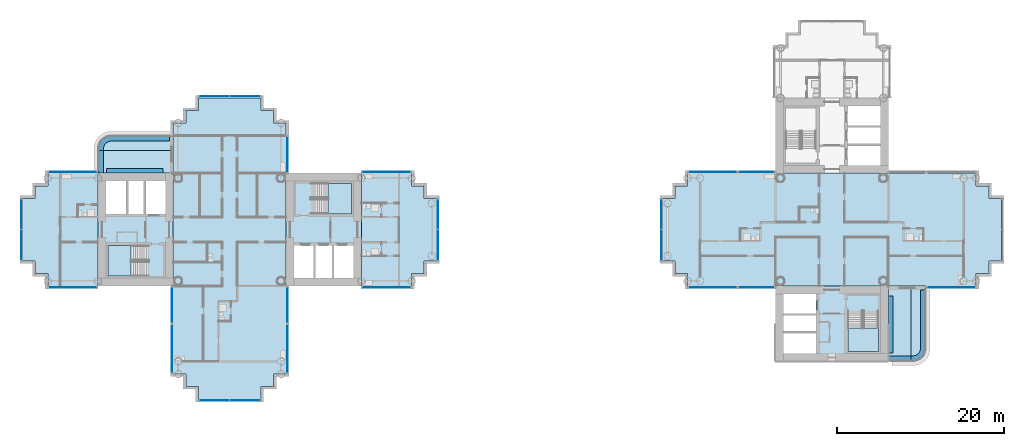
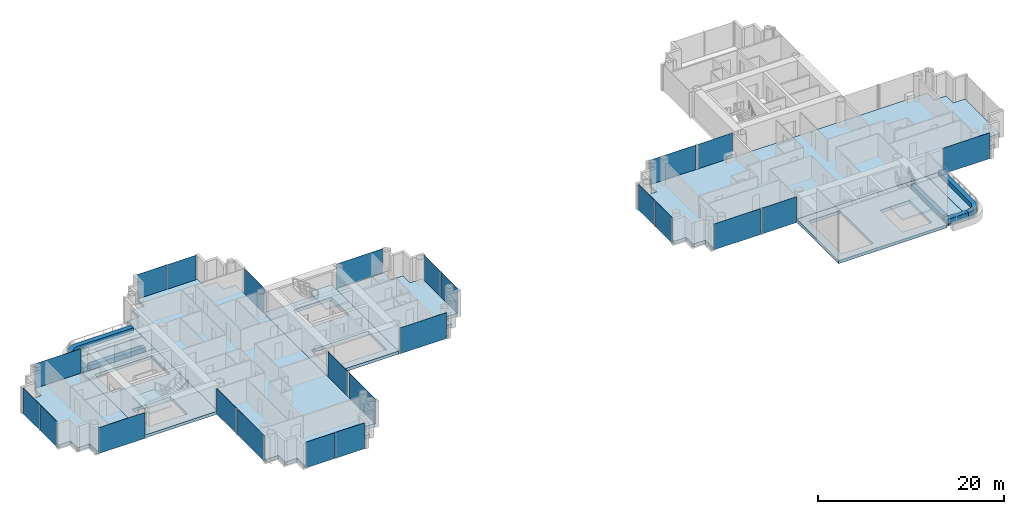
# One storey, part 7 of 21: 24 plates, 20 slabs, 22 elements without a shape of their own.
"""IFC4 building model written with IfcOpenShell, lengths in metres."""

from ifc_helpers import new_model, si_unit, direction, frame, origin, origin_2d, place, context, subcontext, project, spatial, polyline, rectangle, outline, extrude, material, layer, layer_set, type_object, element, aggregate, save


model = new_model("IFC4")

# Units and contexts
model_context = context("Model", 3, precision=1e-05, world=origin(), true_north=direction((0.0, 1.0)))
body_context = subcontext(model_context, "Body", "Model", "MODEL_VIEW")
ifc_project = project(units=[si_unit("LENGTHUNIT", "METRE"), si_unit("AREAUNIT", "SQUARE_METRE"), si_unit("VOLUMEUNIT", "CUBIC_METRE"), si_unit("PLANEANGLEUNIT", "RADIAN"), si_unit("MASSUNIT", "GRAM", prefix="KILO")], contexts=[model_context])

# Site, building, storey
site_placement = place(None, origin())
site = spatial("IfcSite", under=ifc_project, at=site_placement, CompositionType="ELEMENT")
building_placement = place(site_placement, origin())
building = spatial("IfcBuilding", under=site, at=building_placement, Name="Ipe Terrace Towers", CompositionType="ELEMENT")
storey_placement = place(building_placement, frame((0.0, 0.0, 117.39990234375)))
storey = spatial("IfcBuildingStorey", under=building, at=storey_placement, Name="L32", CompositionType="ELEMENT", Elevation=117.39990234375)

# Slabs
ifc_material_1 = material(Name="Concrete C30/37", Category="concrete")
ifc_layer_1 = layer(ifc_material_1, 0.199951171875)
ifc_layer_set_1 = layer_set([ifc_layer_1], Name="BALCONY SLAB 200")
slab_type_1 = type_object("IfcSlabType", Name="BALCONY SLAB 200", PredefinedType="FLOOR", material=ifc_layer_set_1)
slab_1_placement = place(storey_placement, frame((0.0, 0.0, -0.219970703125)))
element("IfcSlab", 1, at=slab_1_placement, inside=storey, type_object=slab_type_1, Name="balcony slab", PredefinedType="FLOOR", context=body_context, shape_type="SweptSolid", body=[
    extrude(outline(polyline([(-51.75, 6.75), (-42.75, 6.75), (-42.75, 9.449951171875), (-51.75, 9.449951171875), (-51.75, 6.75)])), origin(), (0.0, 0.0, 1.0), 0.199951171875),
])
slab_2_placement = place(storey_placement, frame((0.0, 0.0, -0.219970703125)))
element("IfcSlab", 2, at=slab_2_placement, inside=storey, type_object=slab_type_1, Name="balcony slab", PredefinedType="FLOOR", context=body_context, shape_type="SweptSolid", body=[
    extrude(outline(polyline([(-42.75, 11.25), (-50.14990234375, 11.25), (-50.35888671875, 11.236083984375), (-50.56396484375, 11.195068359375), (-50.761962890625, 11.1279296875), (-50.949951171875, 11.035888671875), (-51.1240234375, 10.9189453125), (-51.281005859375, 10.781005859375), (-51.4189453125, 10.6240234375), (-51.535888671875, 10.449951171875), (-51.6279296875, 10.261962890625), (-51.695068359375, 10.06396484375), (-51.736083984375, 9.85888671875), (-51.75, 9.64990234375), (-51.75, 9.449951171875), (-42.75, 9.449951171875), (-42.75, 11.25)])), origin(), (0.0, 0.0, 1.0), 0.199951171875),
])
slab_3_placement = place(storey_placement, frame((0.0, 0.0, -0.219970703125)))
element("IfcSlab", 3, at=slab_3_placement, inside=storey, type_object=slab_type_1, Name="balcony slab", PredefinedType="FLOOR", context=body_context, shape_type="SweptSolid", body=[
    extrude(outline(polyline([(42.75, -15.75), (45.449951171875, -15.75), (45.449951171875, -6.75), (42.75, -6.75), (42.75, -15.75)])), origin(), (0.0, 0.0, 1.0), 0.199951171875),
])
slab_4_placement = place(storey_placement, frame((0.0, 0.0, -0.219970703125)))
element("IfcSlab", 4, at=slab_4_placement, inside=storey, type_object=slab_type_1, Name="balcony slab", PredefinedType="FLOOR", context=body_context, shape_type="SweptSolid", body=[
    extrude(outline(polyline([(47.25, -6.75), (45.449951171875, -6.75), (45.449951171875, -15.75), (45.64990234375, -15.75), (45.85888671875, -15.736083984375), (46.06396484375, -15.695068359375), (46.261962890625, -15.6279296875), (46.449951171875, -15.535888671875), (46.6240234375, -15.4189453125), (46.781005859375, -15.281005859375), (46.9189453125, -15.1240234375), (47.035888671875, -14.949951171875), (47.1279296875, -14.761962890625), (47.195068359375, -14.56396484375), (47.236083984375, -14.35888671875), (47.25, -14.14990234375), (47.25, -6.75)])), origin(), (0.0, 0.0, 1.0), 0.199951171875),
])
ifc_material_2 = material(Name="Concrete C30/37", Category="concrete")
ifc_layer_2 = layer(ifc_material_2, 0.39990234375)
ifc_layer_set_2 = layer_set([ifc_layer_2], Name="CORE FLOOR SLAB 400 C30-37")
slab_type_2 = type_object("IfcSlabType", Name="CORE FLOOR SLAB 400 C30-37", PredefinedType="FLOOR", material=ifc_layer_set_2)
slab_5_placement = place(storey_placement, frame((0.0, 0.0, -0.39990234375)))
element("IfcSlab", 5, at=slab_5_placement, inside=storey, type_object=slab_type_2, Name="Core floor T1-C1", PredefinedType="FLOOR", context=body_context, shape_type="SweptSolid", body=[
    extrude(outline(polyline([(-29.25, -6.75), (-29.25, 6.75), (-20.25, 6.75), (-20.25, -6.75), (-29.25, -6.75)]), holes=[polyline([(-28.300048828125, -5.800048828125), (-21.199951171875, -5.800048828125), (-21.199951171875, -1.89990234375), (-28.300048828125, -1.89990234375), (-28.300048828125, -5.800048828125)]), polyline([(-26.199951171875, 5.550048828125), (-26.199951171875, 1.89990234375), (-21.449951171875, 1.89990234375), (-21.449951171875, 5.550048828125), (-26.199951171875, 5.550048828125)])]), origin(), (0.0, 0.0, 1.0), 0.39990234375),
])
slab_6_placement = place(storey_placement, frame((0.0, 0.0, -0.39990234375)))
element("IfcSlab", 6, at=slab_6_placement, inside=storey, type_object=slab_type_2, Name="Core floor T1-C2", PredefinedType="FLOOR", context=body_context, shape_type="SweptSolid", body=[
    extrude(outline(polyline([(-51.75, -6.75), (-51.75, 6.75), (-42.75, 6.75), (-42.75, -6.75), (-51.75, -6.75)]), holes=[polyline([(-45.800048828125, -5.550048828125), (-45.800048828125, -1.89990234375), (-50.550048828125, -1.89990234375), (-50.550048828125, -5.550048828125), (-45.800048828125, -5.550048828125)]), polyline([(-50.800048828125, 1.89990234375), (-43.699951171875, 1.89990234375), (-43.699951171875, 5.800048828125), (-50.800048828125, 5.800048828125), (-50.800048828125, 1.89990234375)])]), origin(), (0.0, 0.0, 1.0), 0.39990234375),
])
slab_7_placement = place(storey_placement, frame((0.0, 0.0, -0.39990234375)))
element("IfcSlab", 7, at=slab_7_placement, inside=storey, type_object=slab_type_2, Name="Core floor T2-C2", PredefinedType="FLOOR", context=body_context, shape_type="SweptSolid", body=[
    extrude(outline(polyline([(29.25, -15.75), (29.25, -6.75), (42.75, -6.75), (42.75, -15.75), (29.25, -15.75)]), holes=[polyline([(34.10009765625, -14.800048828125), (34.10009765625, -7.699951171875), (30.199951171875, -7.699951171875), (30.199951171875, -14.800048828125), (34.10009765625, -14.800048828125)]), polyline([(41.550048828125, -9.800048828125), (37.89990234375, -9.800048828125), (37.89990234375, -14.550048828125), (41.550048828125, -14.550048828125), (41.550048828125, -9.800048828125)])]), origin(), (0.0, 0.0, 1.0), 0.39990234375),
])

# Stair, slab
ifc_material_3 = material(Name="Concrete C30/37", Category="concrete")
stair_type = type_object("IfcStairType", Name="Protected exit stair", PredefinedType="HALF_TURN_STAIR", material=ifc_material_3)
stair_1_placement = place(storey_placement, origin())
stair_1 = element("IfcStair", 8, at=stair_1_placement, inside=storey, type_object=stair_type, Name="L32 Exit stair T1-C1", PredefinedType="HALF_TURN_STAIR")
ifc_material_4 = material(Name="Concrete C30/37", Category="concrete")
ifc_layer_3 = layer(ifc_material_4, 0.199951171875)
ifc_layer_set_3 = layer_set([ifc_layer_3], Name="Exit stair landing 200")
slab_type_3 = type_object("IfcSlabType", Name="Exit stair landing 200", PredefinedType="LANDING", material=ifc_layer_set_3)
slab_8_placement = place(storey_placement, frame((0.0, 0.0, 1.5)))
slab_8 = element("IfcSlab", 9, at=slab_8_placement, type_object=slab_type_3, Name="T1-ST1 landing 1", PredefinedType="LANDING", context=body_context, shape_type="SweptSolid", body=[
    extrude(outline(polyline([(-24.219970703125, 1.89990234375), (-21.449951171875, 1.89990234375), (-21.449951171875, 5.550048828125), (-24.219970703125, 5.550048828125), (-24.219970703125, 1.89990234375)])), origin(), (0.0, 0.0, 1.0), 0.2001953125),
])
aggregate(stair_1, [slab_8])

stair_2_placement = place(storey_placement, origin())
stair_2 = element("IfcStair", 10, at=stair_2_placement, inside=storey, type_object=stair_type, Name="L32 Exit stair T1-C2", PredefinedType="HALF_TURN_STAIR")
slab_9_placement = place(storey_placement, frame((0.0, 0.0, 1.5)))
slab_9 = element("IfcSlab", 11, at=slab_9_placement, type_object=slab_type_3, Name="T1-ST2 landing 1", PredefinedType="LANDING", context=body_context, shape_type="SweptSolid", body=[
    extrude(outline(polyline([(-47.780029296875, -1.89990234375), (-50.550048828125, -1.89990234375), (-50.550048828125, -5.550048828125), (-47.780029296875, -5.550048828125), (-47.780029296875, -1.89990234375)])), origin(), (0.0, 0.0, 1.0), 0.2001953125),
])
aggregate(stair_2, [slab_9])

stair_3_placement = place(storey_placement, origin())
stair_3 = element("IfcStair", 12, at=stair_3_placement, inside=storey, type_object=stair_type, Name="L32 Exit stair T2-C2", PredefinedType="HALF_TURN_STAIR")
slab_10_placement = place(storey_placement, frame((0.0, 0.0, 1.5)))
slab_10 = element("IfcSlab", 13, at=slab_10_placement, type_object=slab_type_3, Name="T2-ST2 landing 1", PredefinedType="LANDING", context=body_context, shape_type="SweptSolid", body=[
    extrude(outline(polyline([(37.89990234375, -11.780029296875), (37.89990234375, -14.550048828125), (41.550048828125, -14.550048828125), (41.550048828125, -11.780029296875), (37.89990234375, -11.780029296875)])), origin(), (0.0, 0.0, 1.0), 0.2001953125),
])
aggregate(stair_3, [slab_10])

# Slabs
ifc_material_5 = material(Name="Concrete C40/50", Category="concrete")
ifc_layer_4 = layer(ifc_material_5, 0.39990234375)
ifc_layer_set_4 = layer_set([ifc_layer_4], Name="FLAT PLATE SLAB 400 C40-50")
slab_type_4 = type_object("IfcSlabType", Name="FLAT PLATE SLAB 400 C40-50", PredefinedType="FLOOR", material=ifc_layer_set_4)
slab_11_placement = place(storey_placement, frame((0.0, 0.0, -0.39990234375)))
element("IfcSlab", 14, at=slab_11_placement, inside=storey, type_object=slab_type_4, Name="Slab T1-FS-Z21", PredefinedType="FLOOR", context=body_context, shape_type="SweptSolid", body=[
    extrude(outline(polyline([(-30.75, -17.25), (-30.75, -18.75), (-32.25, -18.75), (-32.25, -20.25), (-39.75, -20.25), (-39.75, -18.75), (-41.25, -18.75), (-41.25, -17.25), (-42.75, -17.25), (-42.75, -6.75), (-42.75, 6.75), (-42.75, 12.75), (-41.25, 12.75), (-41.25, 14.25), (-39.75, 14.25), (-39.75, 15.75), (-32.25, 15.75), (-32.25, 14.25), (-30.75, 14.25), (-30.75, 12.75), (-29.25, 12.75), (-29.25, 6.75), (-29.25, -6.75), (-29.25, -17.25), (-30.75, -17.25)])), origin(), (0.0, 0.0, 1.0), 0.39990234375),
])
slab_12_placement = place(storey_placement, frame((0.0, 0.0, -0.39990234375)))
element("IfcSlab", 15, at=slab_12_placement, inside=storey, type_object=slab_type_4, Name="Slab T1-FS-Z22", PredefinedType="FLOOR", context=body_context, shape_type="SweptSolid", body=[
    extrude(outline(polyline([(-57.75, -6.75), (-57.75, -5.25), (-59.25, -5.25), (-59.25, -3.75), (-60.75, -3.75), (-60.75, 3.75), (-59.25, 3.75), (-59.25, 5.25), (-57.75, 5.25), (-57.75, 6.75), (-51.75, 6.75), (-51.75, -6.75), (-57.75, -6.75)])), origin(), (0.0, 0.0, 1.0), 0.39990234375),
])
slab_13_placement = place(storey_placement, frame((0.0, 0.0, -0.39990234375)))
element("IfcSlab", 16, at=slab_13_placement, inside=storey, type_object=slab_type_4, Name="Slab T1-FS-Z23", PredefinedType="FLOOR", context=body_context, shape_type="SweptSolid", body=[
    extrude(outline(polyline([(-14.25, 5.25), (-12.75, 5.25), (-12.75, 3.75), (-11.25, 3.75), (-11.25, -3.75), (-12.75, -3.75), (-12.75, -5.25), (-14.25, -5.25), (-14.25, -6.75), (-20.25, -6.75), (-20.25, 6.75), (-14.25, 6.75), (-14.25, 5.25)])), origin(), (0.0, 0.0, 1.0), 0.39990234375),
])
slab_14_placement = place(storey_placement, frame((0.0, 0.0, -0.39990234375)))
element("IfcSlab", 17, at=slab_14_placement, inside=storey, type_object=slab_type_4, Name="Slab T2-FS-Z21", PredefinedType="FLOOR", context=body_context, shape_type="SweptSolid", body=[
    extrude(outline(polyline([(53.25, 5.25), (54.75, 5.25), (54.75, 3.75), (56.25, 3.75), (56.25, -3.75), (54.75, -3.75), (54.75, -5.25), (53.25, -5.25), (53.25, -6.75), (42.75, -6.75), (29.25, -6.75), (18.75, -6.75), (18.75, -5.25), (17.25, -5.25), (17.25, -3.75), (15.75, -3.75), (15.75, 3.75), (17.25, 3.75), (17.25, 5.25), (18.75, 5.25), (18.75, 6.75), (29.25, 6.75), (42.75, 6.75), (53.25, 6.75), (53.25, 5.25)])), origin(), (0.0, 0.0, 1.0), 0.39990234375),
])
ifc_material_6 = material(Name="Concrete C30/37", Category="concrete")
ifc_layer_5 = layer(ifc_material_6, 0.60009765625)
ifc_layer_set_5 = layer_set([ifc_layer_5], Name="PLANTER TROUGH 550 x 600")
slab_type_5 = type_object("IfcSlabType", Name="PLANTER TROUGH 550 x 600", PredefinedType="USERDEFINED", material=ifc_layer_set_5)
slab_15_placement = place(storey_placement, frame((0.0, 0.0, -0.02001953125)))
element("IfcSlab", 18, at=slab_15_placement, inside=storey, type_object=slab_type_5, Name="planter", ObjectType="PLANTER", PredefinedType="USERDEFINED", context=body_context, shape_type="SweptSolid", body=[
    extrude(outline(polyline([(-51.639892578125, 6.75), (-51.090087890625, 6.75), (-51.090087890625, 9.449951171875), (-51.639892578125, 9.449951171875), (-51.639892578125, 6.75)])), origin(), (0.0, 0.0, 1.0), 0.60009765625),
])
slab_16_placement = place(storey_placement, frame((0.0, 0.0, -0.02001953125)))
element("IfcSlab", 19, at=slab_16_placement, inside=storey, type_object=slab_type_5, Name="planter", ObjectType="PLANTER", PredefinedType="USERDEFINED", context=body_context, shape_type="SweptSolid", body=[
    extrude(outline(polyline([(-51.056884765625, 9.89306640625), (-51.01708984375, 10.009033203125), (-50.962890625, 10.118896484375), (-50.89501953125, 10.220947265625), (-50.81396484375, 10.31396484375), (-50.720947265625, 10.39501953125), (-50.618896484375, 10.462890625), (-50.509033203125, 10.51708984375), (-50.39306640625, 10.556884765625), (-50.27294921875, 10.5810546875), (-50.1279296875, 10.590087890625), (-43.199951171875, 10.590087890625), (-43.199951171875, 11.139892578125), (-50.136962890625, 11.139892578125), (-50.155029296875, 11.138916015625), (-50.325927734375, 11.1279296875), (-50.362060546875, 11.1240234375), (-50.51806640625, 11.093017578125), (-50.552978515625, 11.0830078125), (-50.702880859375, 11.031982421875), (-50.736083984375, 11.01806640625), (-50.87890625, 10.947998046875), (-50.909912109375, 10.929931640625), (-51.0419921875, 10.842041015625), (-51.070068359375, 10.820068359375), (-51.18994140625, 10.715087890625), (-51.215087890625, 10.68994140625), (-51.320068359375, 10.570068359375), (-51.342041015625, 10.5419921875), (-51.429931640625, 10.409912109375), (-51.447998046875, 10.37890625), (-51.51806640625, 10.236083984375), (-51.531982421875, 10.202880859375), (-51.5830078125, 10.052978515625), (-51.593017578125, 10.01806640625), (-51.6240234375, 9.862060546875), (-51.6279296875, 9.825927734375), (-51.638916015625, 9.655029296875), (-51.639892578125, 9.636962890625), (-51.639892578125, 9.449951171875), (-51.090087890625, 9.449951171875), (-51.090087890625, 9.6279296875), (-51.0810546875, 9.77294921875), (-51.056884765625, 9.89306640625)])), origin(), (0.0, 0.0, 1.0), 0.60009765625),
])
slab_17_placement = place(storey_placement, frame((0.0, 0.0, -0.02001953125)))
element("IfcSlab", 20, at=slab_17_placement, inside=storey, type_object=slab_type_5, Name="planter", ObjectType="PLANTER", PredefinedType="USERDEFINED", context=body_context, shape_type="SweptSolid", body=[
    extrude(outline(polyline([(-43.949951171875, 6.75), (-43.949951171875, 7.300048828125), (-50.75, 7.300048828125), (-50.75, 6.75), (-43.949951171875, 6.75)])), origin(), (0.0, 0.0, 1.0), 0.60009765625),
])
slab_18_placement = place(storey_placement, frame((0.0, 0.0, -0.02001953125)))
element("IfcSlab", 21, at=slab_18_placement, inside=storey, type_object=slab_type_5, Name="planter", ObjectType="PLANTER", PredefinedType="USERDEFINED", context=body_context, shape_type="SweptSolid", body=[
    extrude(outline(polyline([(42.75, -15.639892578125), (45.449951171875, -15.639892578125), (45.449951171875, -15.090087890625), (42.75, -15.090087890625), (42.75, -15.639892578125)])), origin(), (0.0, 0.0, 1.0), 0.60009765625),
])
slab_19_placement = place(storey_placement, frame((0.0, 0.0, -0.02001953125)))
element("IfcSlab", 22, at=slab_19_placement, inside=storey, type_object=slab_type_5, Name="planter", ObjectType="PLANTER", PredefinedType="USERDEFINED", context=body_context, shape_type="SweptSolid", body=[
    extrude(outline(polyline([(45.89306640625, -15.056884765625), (45.77294921875, -15.0810546875), (45.6279296875, -15.090087890625), (45.449951171875, -15.090087890625), (45.449951171875, -15.639892578125), (45.636962890625, -15.639892578125), (45.655029296875, -15.638916015625), (45.825927734375, -15.6279296875), (45.862060546875, -15.6240234375), (46.01806640625, -15.593017578125), (46.052978515625, -15.5830078125), (46.202880859375, -15.531982421875), (46.236083984375, -15.51806640625), (46.37890625, -15.447998046875), (46.409912109375, -15.429931640625), (46.5419921875, -15.342041015625), (46.570068359375, -15.320068359375), (46.68994140625, -15.215087890625), (46.715087890625, -15.18994140625), (46.820068359375, -15.070068359375), (46.842041015625, -15.0419921875), (46.929931640625, -14.909912109375), (46.947998046875, -14.87890625), (47.01806640625, -14.736083984375), (47.031982421875, -14.702880859375), (47.0830078125, -14.552978515625), (47.093017578125, -14.51806640625), (47.1240234375, -14.362060546875), (47.1279296875, -14.325927734375), (47.138916015625, -14.155029296875), (47.139892578125, -14.136962890625), (47.139892578125, -7.199951171875), (46.590087890625, -7.199951171875), (46.590087890625, -14.1279296875), (46.5810546875, -14.27294921875), (46.556884765625, -14.39306640625), (46.51708984375, -14.509033203125), (46.462890625, -14.618896484375), (46.39501953125, -14.720947265625), (46.31396484375, -14.81396484375), (46.220947265625, -14.89501953125), (46.118896484375, -14.962890625), (46.009033203125, -15.01708984375), (45.89306640625, -15.056884765625)])), origin(), (0.0, 0.0, 1.0), 0.60009765625),
])
slab_20_placement = place(storey_placement, frame((0.0, 0.0, -0.02001953125)))
element("IfcSlab", 23, at=slab_20_placement, inside=storey, type_object=slab_type_5, Name="planter", ObjectType="PLANTER", PredefinedType="USERDEFINED", context=body_context, shape_type="SweptSolid", body=[
    extrude(outline(polyline([(42.75, -7.949951171875), (42.75, -14.75), (43.300048828125, -14.75), (43.300048828125, -7.949951171875), (42.75, -7.949951171875)])), origin(), (0.0, 0.0, 1.0), 0.60009765625),
])

# Curtain wall, plate
ifc_material_7 = material(Name="Aluminium alloy 6063-T6", Category="aluminium")
ifc_layer_6 = layer(ifc_material_7, 0.320068359375)
ifc_layer_set_6 = layer_set([ifc_layer_6], Name="TOWER UNITISED CURTAIN WALL")
curtain_wall_type = type_object("IfcCurtainWallType", Name="TOWER UNITISED CURTAIN WALL", PredefinedType="NOTDEFINED", material=ifc_layer_set_6)
curtain_wall_1_placement = place(storey_placement, origin())
curtain_wall_1 = element("IfcCurtainWall", 24, at=curtain_wall_1_placement, inside=storey, type_object=curtain_wall_type, Name="T1-CW-L32-04a curtain wall", PredefinedType="NOTDEFINED")
ifc_material_8 = material(Name="Glass, clear laminated", Category="glass")
ifc_layer_7 = layer(ifc_material_8, 0.031982421875)
ifc_layer_set_7 = layer_set([ifc_layer_7], Name="TOWER UNITISED GLASS PANEL 32")
plate_type = type_object("IfcPlateType", Name="TOWER UNITISED GLASS PANEL 32", PredefinedType="CURTAIN_PANEL", material=ifc_layer_set_7)
plate_1_placement = place(storey_placement, frame((-54.75048828125, -6.909912109375, -0.2998046875), z_axis=(0.0, 0.0, 1.0), x_axis=(1.0, 0.0, 0.0)))
plate_1 = element("IfcPlate", 25, at=plate_1_placement, type_object=plate_type, Name="T1-CW-L32-04a panel 1", PredefinedType="CURTAIN_PANEL", context=body_context, shape_type="SweptSolid", body=[
    extrude(rectangle(XDim=5.759033203125, YDim=0.031982421875, at=origin_2d()), origin(), (0.0, 0.0, 1.0), 3.39990234375),
])
aggregate(curtain_wall_1, [plate_1])

curtain_wall_2_placement = place(storey_placement, origin())
curtain_wall_2 = element("IfcCurtainWall", 26, at=curtain_wall_2_placement, inside=storey, type_object=curtain_wall_type, Name="T1-CW-L32-06a curtain wall", PredefinedType="NOTDEFINED")
plate_2_placement = place(storey_placement, frame((-42.909912109375, -9.0, -0.2998046875), z_axis=(0.0, 0.0, 1.0), x_axis=(0.0, -1.0, 0.0)))
plate_2 = element("IfcPlate", 27, at=plate_2_placement, type_object=plate_type, Name="T1-CW-L32-06a panel 1", PredefinedType="CURTAIN_PANEL", context=body_context, shape_type="SweptSolid", body=[
    extrude(rectangle(XDim=4.260009765625, YDim=0.031982421875, at=origin_2d()), origin(), (0.0, 0.0, 1.0), 3.39990234375),
])
aggregate(curtain_wall_2, [plate_2])

curtain_wall_3_placement = place(storey_placement, origin())
curtain_wall_3 = element("IfcCurtainWall", 28, at=curtain_wall_3_placement, inside=storey, type_object=curtain_wall_type, Name="T1-CW-L32-07a curtain wall", PredefinedType="NOTDEFINED")
plate_3_placement = place(storey_placement, frame((-42.909912109375, -14.25, -0.2998046875), z_axis=(0.0, 0.0, 1.0), x_axis=(0.0, -1.0, 0.0)))
plate_3 = element("IfcPlate", 29, at=plate_3_placement, type_object=plate_type, Name="T1-CW-L32-07a panel 1", PredefinedType="CURTAIN_PANEL", context=body_context, shape_type="SweptSolid", body=[
    extrude(rectangle(XDim=5.760009765625, YDim=0.031982421875, at=origin_2d()), origin(), (0.0, 0.0, 1.0), 3.39990234375),
])
aggregate(curtain_wall_3, [plate_3])

# Curtain wall, plates
curtain_wall_4_placement = place(storey_placement, origin())
curtain_wall_4 = element("IfcCurtainWall", 30, at=curtain_wall_4_placement, inside=storey, type_object=curtain_wall_type, Name="T1-CW-L32-12a curtain wall", PredefinedType="NOTDEFINED")
plate_4_placement = place(storey_placement, frame((-37.831298828125, -20.409912109375, -0.2998046875), z_axis=(0.0, 0.0, 1.0), x_axis=(1.0, 0.0, 0.0)))
plate_4 = element("IfcPlate", 31, at=plate_4_placement, type_object=plate_type, Name="T1-CW-L32-12a panel 1", PredefinedType="CURTAIN_PANEL", context=body_context, shape_type="SweptSolid", body=[
    extrude(rectangle(XDim=3.597412109375, YDim=0.031982421875, at=origin_2d()), origin(), (0.0, 0.0, 1.0), 3.39990234375),
])
plate_5_placement = place(storey_placement, frame((-34.168701171875, -20.409912109375, -0.2998046875), z_axis=(0.0, 0.0, 1.0), x_axis=(1.0, 0.0, 0.0)))
plate_5 = element("IfcPlate", 32, at=plate_5_placement, type_object=plate_type, Name="T1-CW-L32-12a panel 2", PredefinedType="CURTAIN_PANEL", context=body_context, shape_type="SweptSolid", body=[
    extrude(rectangle(XDim=3.597412109375, YDim=0.031982421875, at=origin_2d()), origin(), (0.0, 0.0, 1.0), 3.39990234375),
])
aggregate(curtain_wall_4, [plate_4, plate_5])

# Curtain wall, plate
curtain_wall_5_placement = place(storey_placement, origin())
curtain_wall_5 = element("IfcCurtainWall", 33, at=curtain_wall_5_placement, inside=storey, type_object=curtain_wall_type, Name="T1-CW-L32-17a curtain wall", PredefinedType="NOTDEFINED")
plate_6_placement = place(storey_placement, frame((-29.090087890625, -14.25, -0.2998046875), z_axis=(0.0, 0.0, 1.0), x_axis=(0.0, 1.0, 0.0)))
plate_6 = element("IfcPlate", 34, at=plate_6_placement, type_object=plate_type, Name="T1-CW-L32-17a panel 1", PredefinedType="CURTAIN_PANEL", context=body_context, shape_type="SweptSolid", body=[
    extrude(rectangle(XDim=5.760009765625, YDim=0.031982421875, at=origin_2d()), origin(), (0.0, 0.0, 1.0), 3.39990234375),
])
aggregate(curtain_wall_5, [plate_6])

curtain_wall_6_placement = place(storey_placement, origin())
curtain_wall_6 = element("IfcCurtainWall", 35, at=curtain_wall_6_placement, inside=storey, type_object=curtain_wall_type, Name="T1-CW-L32-18a curtain wall", PredefinedType="NOTDEFINED")
plate_7_placement = place(storey_placement, frame((-29.090087890625, -9.0, -0.2998046875), z_axis=(0.0, 0.0, 1.0), x_axis=(0.0, 1.0, 0.0)))
plate_7 = element("IfcPlate", 36, at=plate_7_placement, type_object=plate_type, Name="T1-CW-L32-18a panel 1", PredefinedType="CURTAIN_PANEL", context=body_context, shape_type="SweptSolid", body=[
    extrude(rectangle(XDim=4.260009765625, YDim=0.031982421875, at=origin_2d()), origin(), (0.0, 0.0, 1.0), 3.39990234375),
])
aggregate(curtain_wall_6, [plate_7])

curtain_wall_7_placement = place(storey_placement, origin())
curtain_wall_7 = element("IfcCurtainWall", 37, at=curtain_wall_7_placement, inside=storey, type_object=curtain_wall_type, Name="T1-CW-L32-20b curtain wall", PredefinedType="NOTDEFINED")
plate_8_placement = place(storey_placement, frame((-17.24951171875, -6.909912109375, -0.2998046875), z_axis=(0.0, 0.0, 1.0), x_axis=(1.0, 0.0, 0.0)))
plate_8 = element("IfcPlate", 38, at=plate_8_placement, type_object=plate_type, Name="T1-CW-L32-20b panel 1", PredefinedType="CURTAIN_PANEL", context=body_context, shape_type="SweptSolid", body=[
    extrude(rectangle(XDim=5.759033203125, YDim=0.031982421875, at=origin_2d()), origin(), (0.0, 0.0, 1.0), 3.39990234375),
])
aggregate(curtain_wall_7, [plate_8])

# Curtain wall, plates
curtain_wall_8_placement = place(storey_placement, origin())
curtain_wall_8 = element("IfcCurtainWall", 39, at=curtain_wall_8_placement, inside=storey, type_object=curtain_wall_type, Name="T1-CW-L32-25a curtain wall", PredefinedType="NOTDEFINED")
plate_9_placement = place(storey_placement, frame((-11.090087890625, -1.831298828125, -0.2998046875), z_axis=(0.0, 0.0, 1.0), x_axis=(0.0, 1.0, 0.0)))
plate_9 = element("IfcPlate", 40, at=plate_9_placement, type_object=plate_type, Name="T1-CW-L32-25a panel 1", PredefinedType="CURTAIN_PANEL", context=body_context, shape_type="SweptSolid", body=[
    extrude(rectangle(XDim=3.597412109375, YDim=0.031982421875, at=origin_2d()), origin(), (0.0, 0.0, 1.0), 3.39990234375),
])
plate_10_placement = place(storey_placement, frame((-11.090087890625, 1.831298828125, -0.2998046875), z_axis=(0.0, 0.0, 1.0), x_axis=(0.0, 1.0, 0.0)))
plate_10 = element("IfcPlate", 41, at=plate_10_placement, type_object=plate_type, Name="T1-CW-L32-25a panel 2", PredefinedType="CURTAIN_PANEL", context=body_context, shape_type="SweptSolid", body=[
    extrude(rectangle(XDim=3.597412109375, YDim=0.031982421875, at=origin_2d()), origin(), (0.0, 0.0, 1.0), 3.39990234375),
])
aggregate(curtain_wall_8, [plate_9, plate_10])

# Curtain wall, plate
curtain_wall_9_placement = place(storey_placement, origin())
curtain_wall_9 = element("IfcCurtainWall", 42, at=curtain_wall_9_placement, inside=storey, type_object=curtain_wall_type, Name="T1-CW-L32-30a curtain wall", PredefinedType="NOTDEFINED")
plate_11_placement = place(storey_placement, frame((-17.24951171875, 6.909912109375, -0.2998046875), z_axis=(0.0, 0.0, 1.0), x_axis=(-1.0, 0.0, 0.0)))
plate_11 = element("IfcPlate", 43, at=plate_11_placement, type_object=plate_type, Name="T1-CW-L32-30a panel 1", PredefinedType="CURTAIN_PANEL", context=body_context, shape_type="SweptSolid", body=[
    extrude(rectangle(XDim=5.759033203125, YDim=0.031982421875, at=origin_2d()), origin(), (0.0, 0.0, 1.0), 3.39990234375),
])
aggregate(curtain_wall_9, [plate_11])

curtain_wall_10_placement = place(storey_placement, origin())
curtain_wall_10 = element("IfcCurtainWall", 44, at=curtain_wall_10_placement, inside=storey, type_object=curtain_wall_type, Name="T1-CW-L32-32a curtain wall", PredefinedType="NOTDEFINED")
plate_12_placement = place(storey_placement, frame((-29.090087890625, 9.0, -0.2998046875), z_axis=(0.0, 0.0, 1.0), x_axis=(0.0, 1.0, 0.0)))
plate_12 = element("IfcPlate", 45, at=plate_12_placement, type_object=plate_type, Name="T1-CW-L32-32a panel 1", PredefinedType="CURTAIN_PANEL", context=body_context, shape_type="SweptSolid", body=[
    extrude(rectangle(XDim=4.260009765625, YDim=0.031982421875, at=origin_2d()), origin(), (0.0, 0.0, 1.0), 3.39990234375),
])
aggregate(curtain_wall_10, [plate_12])

# Curtain wall, plates
curtain_wall_11_placement = place(storey_placement, origin())
curtain_wall_11 = element("IfcCurtainWall", 46, at=curtain_wall_11_placement, inside=storey, type_object=curtain_wall_type, Name="T1-CW-L32-38a curtain wall", PredefinedType="NOTDEFINED")
plate_13_placement = place(storey_placement, frame((-34.168701171875, 15.909912109375, -0.2998046875), z_axis=(0.0, 0.0, 1.0), x_axis=(-1.0, 0.0, 0.0)))
plate_13 = element("IfcPlate", 47, at=plate_13_placement, type_object=plate_type, Name="T1-CW-L32-38a panel 1", PredefinedType="CURTAIN_PANEL", context=body_context, shape_type="SweptSolid", body=[
    extrude(rectangle(XDim=3.597412109375, YDim=0.031982421875, at=origin_2d()), origin(), (0.0, 0.0, 1.0), 3.39990234375),
])
plate_14_placement = place(storey_placement, frame((-37.831298828125, 15.909912109375, -0.2998046875), z_axis=(0.0, 0.0, 1.0), x_axis=(-1.0, 0.0, 0.0)))
plate_14 = element("IfcPlate", 48, at=plate_14_placement, type_object=plate_type, Name="T1-CW-L32-38a panel 2", PredefinedType="CURTAIN_PANEL", context=body_context, shape_type="SweptSolid", body=[
    extrude(rectangle(XDim=3.597412109375, YDim=0.031982421875, at=origin_2d()), origin(), (0.0, 0.0, 1.0), 3.39990234375),
])
aggregate(curtain_wall_11, [plate_13, plate_14])

# Curtain wall, plate
curtain_wall_12_placement = place(storey_placement, origin())
curtain_wall_12 = element("IfcCurtainWall", 49, at=curtain_wall_12_placement, inside=storey, type_object=curtain_wall_type, Name="T1-CW-L32-46b curtain wall", PredefinedType="NOTDEFINED")
plate_15_placement = place(storey_placement, frame((-54.75048828125, 6.909912109375, -0.2998046875), z_axis=(0.0, 0.0, 1.0), x_axis=(-1.0, 0.0, 0.0)))
plate_15 = element("IfcPlate", 50, at=plate_15_placement, type_object=plate_type, Name="T1-CW-L32-46b panel 1", PredefinedType="CURTAIN_PANEL", context=body_context, shape_type="SweptSolid", body=[
    extrude(rectangle(XDim=5.759033203125, YDim=0.031982421875, at=origin_2d()), origin(), (0.0, 0.0, 1.0), 3.39990234375),
])
aggregate(curtain_wall_12, [plate_15])

# Curtain wall, plates
curtain_wall_13_placement = place(storey_placement, origin())
curtain_wall_13 = element("IfcCurtainWall", 51, at=curtain_wall_13_placement, inside=storey, type_object=curtain_wall_type, Name="T1-CW-L32-51a curtain wall", PredefinedType="NOTDEFINED")
plate_16_placement = place(storey_placement, frame((-60.909912109375, 1.831298828125, -0.2998046875), z_axis=(0.0, 0.0, 1.0), x_axis=(0.0, -1.0, 0.0)))
plate_16 = element("IfcPlate", 52, at=plate_16_placement, type_object=plate_type, Name="T1-CW-L32-51a panel 1", PredefinedType="CURTAIN_PANEL", context=body_context, shape_type="SweptSolid", body=[
    extrude(rectangle(XDim=3.597412109375, YDim=0.031982421875, at=origin_2d()), origin(), (0.0, 0.0, 1.0), 3.39990234375),
])
plate_17_placement = place(storey_placement, frame((-60.909912109375, -1.831298828125, -0.2998046875), z_axis=(0.0, 0.0, 1.0), x_axis=(0.0, -1.0, 0.0)))
plate_17 = element("IfcPlate", 53, at=plate_17_placement, type_object=plate_type, Name="T1-CW-L32-51a panel 2", PredefinedType="CURTAIN_PANEL", context=body_context, shape_type="SweptSolid", body=[
    extrude(rectangle(XDim=3.597412109375, YDim=0.031982421875, at=origin_2d()), origin(), (0.0, 0.0, 1.0), 3.39990234375),
])
aggregate(curtain_wall_13, [plate_16, plate_17])

# Curtain wall, plate
curtain_wall_14_placement = place(storey_placement, origin())
curtain_wall_14 = element("IfcCurtainWall", 54, at=curtain_wall_14_placement, inside=storey, type_object=curtain_wall_type, Name="T2-CW-L32-03a curtain wall", PredefinedType="NOTDEFINED")
plate_18_placement = place(storey_placement, frame((50.25, -6.909912109375, -0.2998046875), z_axis=(0.0, 0.0, 1.0), x_axis=(1.0, 0.0, 0.0)))
plate_18 = element("IfcPlate", 55, at=plate_18_placement, type_object=plate_type, Name="T2-CW-L32-03a panel 1", PredefinedType="CURTAIN_PANEL", context=body_context, shape_type="SweptSolid", body=[
    extrude(rectangle(XDim=5.760009765625, YDim=0.031982421875, at=origin_2d()), origin(), (0.0, 0.0, 1.0), 3.39990234375),
])
aggregate(curtain_wall_14, [plate_18])

curtain_wall_15_placement = place(storey_placement, origin())
curtain_wall_15 = element("IfcCurtainWall", 56, at=curtain_wall_15_placement, inside=storey, type_object=curtain_wall_type, Name="T2-CW-L32-28a curtain wall", PredefinedType="NOTDEFINED")
plate_19_placement = place(storey_placement, frame((27.0, 6.909912109375, -0.2998046875), z_axis=(0.0, 0.0, 1.0), x_axis=(-1.0, 0.0, 0.0)))
plate_19 = element("IfcPlate", 57, at=plate_19_placement, type_object=plate_type, Name="T2-CW-L32-28a panel 1", PredefinedType="CURTAIN_PANEL", context=body_context, shape_type="SweptSolid", body=[
    extrude(rectangle(XDim=4.260009765625, YDim=0.031982421875, at=origin_2d()), origin(), (0.0, 0.0, 1.0), 3.39990234375),
])
aggregate(curtain_wall_15, [plate_19])

curtain_wall_16_placement = place(storey_placement, origin())
curtain_wall_16 = element("IfcCurtainWall", 58, at=curtain_wall_16_placement, inside=storey, type_object=curtain_wall_type, Name="T2-CW-L32-29a curtain wall", PredefinedType="NOTDEFINED")
plate_20_placement = place(storey_placement, frame((21.75, 6.909912109375, -0.2998046875), z_axis=(0.0, 0.0, 1.0), x_axis=(-1.0, 0.0, 0.0)))
plate_20 = element("IfcPlate", 59, at=plate_20_placement, type_object=plate_type, Name="T2-CW-L32-29a panel 1", PredefinedType="CURTAIN_PANEL", context=body_context, shape_type="SweptSolid", body=[
    extrude(rectangle(XDim=5.760009765625, YDim=0.031982421875, at=origin_2d()), origin(), (0.0, 0.0, 1.0), 3.39990234375),
])
aggregate(curtain_wall_16, [plate_20])

# Curtain wall, plates
curtain_wall_17_placement = place(storey_placement, origin())
curtain_wall_17 = element("IfcCurtainWall", 60, at=curtain_wall_17_placement, inside=storey, type_object=curtain_wall_type, Name="T2-CW-L32-34a curtain wall", PredefinedType="NOTDEFINED")
plate_21_placement = place(storey_placement, frame((15.590087890625, 1.831298828125, -0.2998046875), z_axis=(0.0, 0.0, 1.0), x_axis=(0.0, -1.0, 0.0)))
plate_21 = element("IfcPlate", 61, at=plate_21_placement, type_object=plate_type, Name="T2-CW-L32-34a panel 1", PredefinedType="CURTAIN_PANEL", context=body_context, shape_type="SweptSolid", body=[
    extrude(rectangle(XDim=3.597412109375, YDim=0.031982421875, at=origin_2d()), origin(), (0.0, 0.0, 1.0), 3.39990234375),
])
plate_22_placement = place(storey_placement, frame((15.590087890625, -1.831298828125, -0.2998046875), z_axis=(0.0, 0.0, 1.0), x_axis=(0.0, -1.0, 0.0)))
plate_22 = element("IfcPlate", 62, at=plate_22_placement, type_object=plate_type, Name="T2-CW-L32-34a panel 2", PredefinedType="CURTAIN_PANEL", context=body_context, shape_type="SweptSolid", body=[
    extrude(rectangle(XDim=3.597412109375, YDim=0.031982421875, at=origin_2d()), origin(), (0.0, 0.0, 1.0), 3.39990234375),
])
aggregate(curtain_wall_17, [plate_21, plate_22])

# Curtain wall, plate
curtain_wall_18_placement = place(storey_placement, origin())
curtain_wall_18 = element("IfcCurtainWall", 63, at=curtain_wall_18_placement, inside=storey, type_object=curtain_wall_type, Name="T2-CW-L32-39a curtain wall", PredefinedType="NOTDEFINED")
plate_23_placement = place(storey_placement, frame((21.75, -6.909912109375, -0.2998046875), z_axis=(0.0, 0.0, 1.0), x_axis=(1.0, 0.0, 0.0)))
plate_23 = element("IfcPlate", 64, at=plate_23_placement, type_object=plate_type, Name="T2-CW-L32-39a panel 1", PredefinedType="CURTAIN_PANEL", context=body_context, shape_type="SweptSolid", body=[
    extrude(rectangle(XDim=5.760009765625, YDim=0.031982421875, at=origin_2d()), origin(), (0.0, 0.0, 1.0), 3.39990234375),
])
aggregate(curtain_wall_18, [plate_23])

curtain_wall_19_placement = place(storey_placement, origin())
curtain_wall_19 = element("IfcCurtainWall", 65, at=curtain_wall_19_placement, inside=storey, type_object=curtain_wall_type, Name="T2-CW-L32-40a curtain wall", PredefinedType="NOTDEFINED")
plate_24_placement = place(storey_placement, frame((27.0, -6.909912109375, -0.2998046875), z_axis=(0.0, 0.0, 1.0), x_axis=(1.0, 0.0, 0.0)))
plate_24 = element("IfcPlate", 66, at=plate_24_placement, type_object=plate_type, Name="T2-CW-L32-40a panel 1", PredefinedType="CURTAIN_PANEL", context=body_context, shape_type="SweptSolid", body=[
    extrude(rectangle(XDim=4.260009765625, YDim=0.031982421875, at=origin_2d()), origin(), (0.0, 0.0, 1.0), 3.39990234375),
])
aggregate(curtain_wall_19, [plate_24])

save(model, "model.ifc")
